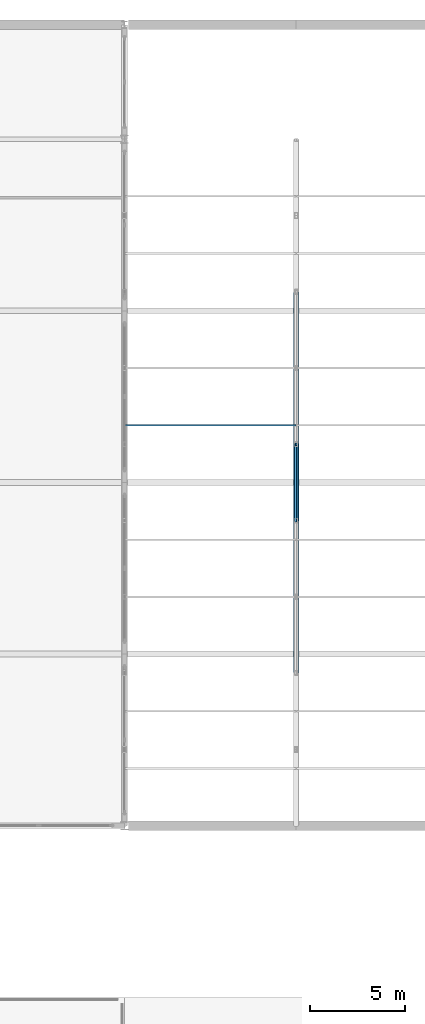
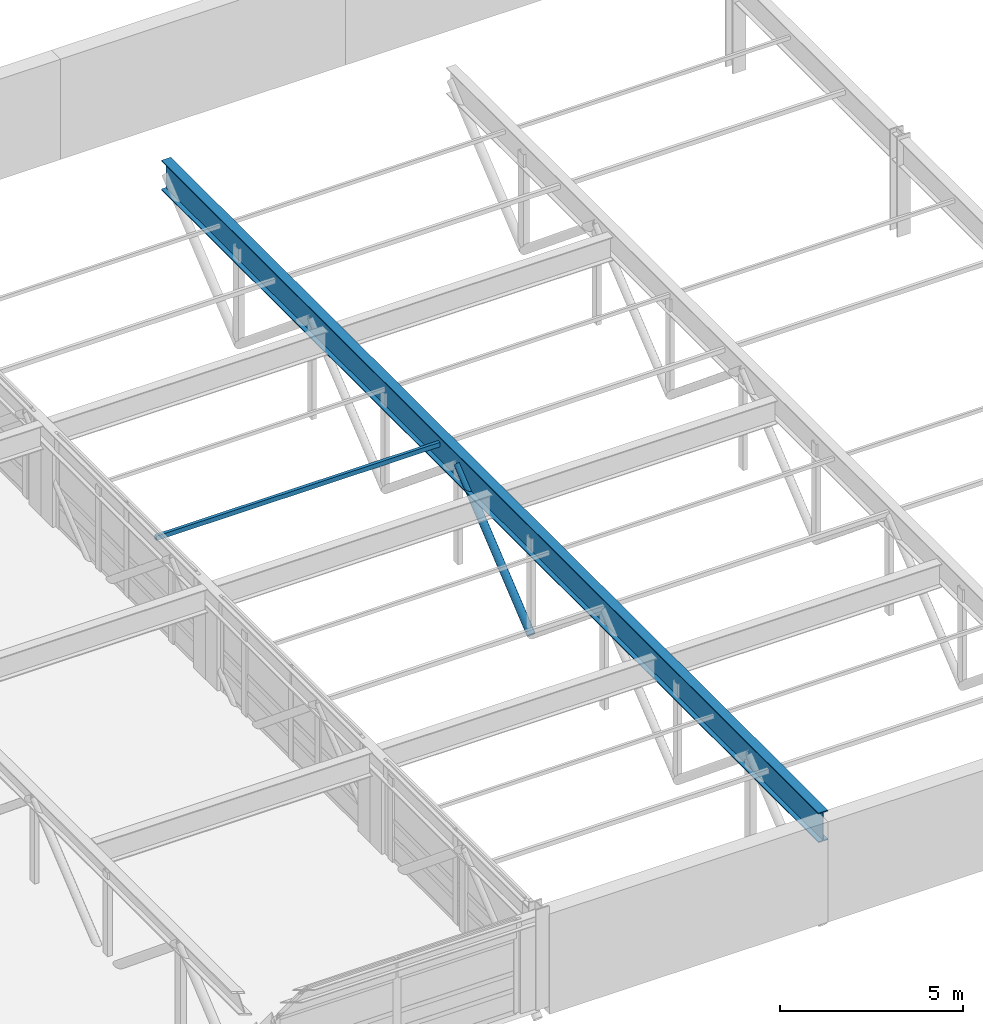
# One storey, part 56 of 91: 2 members, 1 beam.
"""IFC4 building model written with IfcOpenShell, lengths in metres."""

from ifc_helpers import new_model, si_unit, direction, frame, origin, origin_2d, place, context, subcontext, project, spatial, hollow_rectangle, hollow_circle, i_section, extrude, material, material_profile, profile_set, type_object, element, save


model = new_model("IFC4")

# Units and contexts
model_context = context("Model", 3, precision=1e-05, world=origin(), true_north=direction((0.0, 1.0)))
body_context = subcontext(model_context, "Body", "Model", "MODEL_VIEW")
ifc_project = project(units=[si_unit("LENGTHUNIT", "METRE"), si_unit("AREAUNIT", "SQUARE_METRE"), si_unit("VOLUMEUNIT", "CUBIC_METRE"), si_unit("PLANEANGLEUNIT", "RADIAN"), si_unit("MASSUNIT", "GRAM", prefix="KILO")], contexts=[model_context])

# Site, building, storey
site_placement = place(None, origin())
site = spatial("IfcSite", under=ifc_project, at=site_placement, CompositionType="ELEMENT")
building_placement = place(site_placement, origin())
building = spatial("IfcBuilding", under=site, at=building_placement, Name="Palais des Congres Ocreval", CompositionType="ELEMENT")
storey_placement = place(building_placement, frame((0.0, 0.0, 8.159912109375)))
storey = spatial("IfcBuildingStorey", under=building, at=storey_placement, Name="L02", CompositionType="ELEMENT", Elevation=8.159912109375)

# Member
ifc_material = material(Name="Steel S355", Category="steel")
ifc_material_profile_1 = material_profile(ifc_material, hollow_circle(Radius=0.122314453125, WallThickness=0.012451171875, at=origin_2d()), Name="CHS 244.5x12.5")
ifc_profile_set_1 = profile_set([ifc_material_profile_1], Name="Steel S355")
member_type_1 = type_object("IfcMemberType", Name="Diagonal Brace CHS 244.5x12.5 Steel S355", PredefinedType="BRACE", material=ifc_profile_set_1)
member_1_placement = place(storey_placement, frame((135.0, 88.0, -0.5), z_axis=(0.0, 0.772316531173, 0.635237889044), x_axis=(-1.0, 0.0, 0.0)))
element("IfcMember", 1, at=member_1_placement, inside=storey, type_object=member_type_1, Name="Transfer Truss Web Diagonal V2-135-5", PredefinedType="BRACE", context=body_context, shape_type="SweptSolid", body=[
    extrude(hollow_circle(Radius=0.122314453125, WallThickness=0.012451171875, at=origin_2d()), origin(), (0.0, 0.0, 1.0), 5.17919921875),
])

# Beam
ifc_material_profile_2 = material_profile(ifc_material, i_section(OverallWidth=0.300048828125, OverallDepth=0.989990234375, WebThickness=0.0166015625, FlangeThickness=0.031005859375, at=origin_2d()), Name="HEA 1000")
ifc_profile_set_2 = profile_set([ifc_material_profile_2], Name="Steel S355")
beam_type = type_object("IfcBeamType", Name="Long-Span Girder HEA 1000 Steel S355", PredefinedType="BEAM", material=ifc_profile_set_2)
beam_placement = place(storey_placement, frame((135.0, 72.02001953125, 2.7900390625), z_axis=(0.0, 1.0, 0.0), x_axis=(-1.0, 0.0, 0.0)))
element("IfcBeam", 2, at=beam_placement, inside=storey, type_object=beam_type, Name="Ballroom Transfer Truss Top Girder B17", PredefinedType="BEAM", context=body_context, shape_type="SweptSolid", body=[
    extrude(i_section(OverallWidth=0.300048828125, OverallDepth=0.989990234375, WebThickness=0.0166015625, FlangeThickness=0.031005859375, at=origin_2d()), origin(), (0.0, 0.0, 1.0), 35.9599609375),
])

# Member
ifc_material_profile_3 = material_profile(ifc_material, hollow_rectangle(XDim=0.10009765625, YDim=0.14990234375, WallThickness=0.008056640625, at=origin_2d()), Name="RHS 150x100x8")
ifc_profile_set_3 = profile_set([ifc_material_profile_3], Name="Steel S355")
member_type_2 = type_object("IfcMemberType", Name="Roof Purlin RHS 150x100x8 Steel S355", PredefinedType="PURLIN", material=ifc_profile_set_3)
member_2_placement = place(storey_placement, frame((126.02001953125, 93.0, 2.860107421875), z_axis=(1.0, 0.0, 0.0), x_axis=(0.0, 1.0, 0.0)))
element("IfcMember", 3, at=member_2_placement, inside=storey, type_object=member_type_2, Name="Sawtooth Roof Purlin PU04", PredefinedType="PURLIN", context=body_context, shape_type="SweptSolid", body=[
    extrude(hollow_rectangle(XDim=0.10009765625, YDim=0.14990234375, WallThickness=0.008056640625, at=origin_2d()), origin(), (0.0, 0.0, 1.0), 8.9599609375),
])

save(model, "model.ifc")
